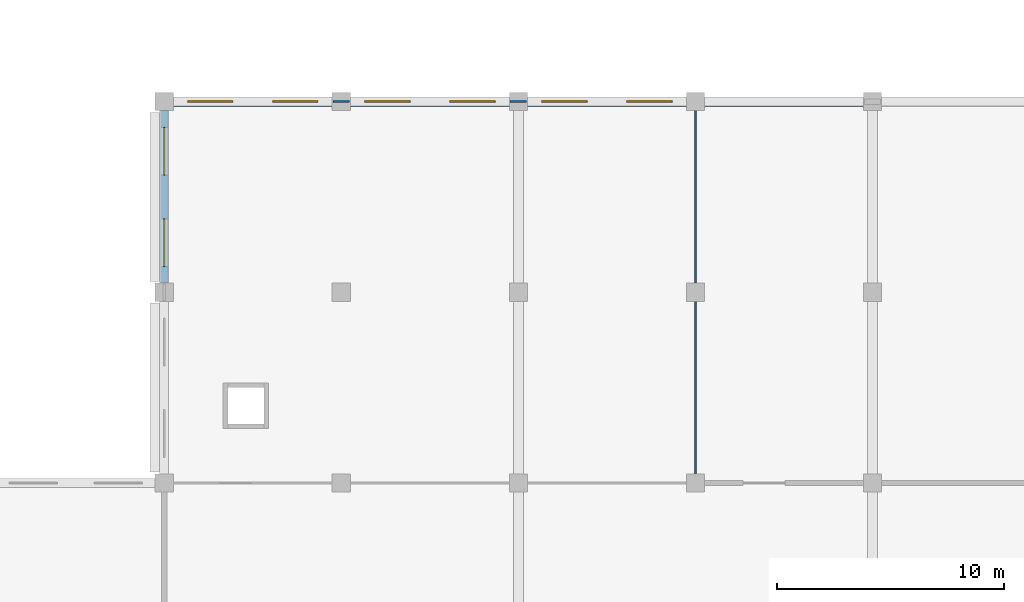
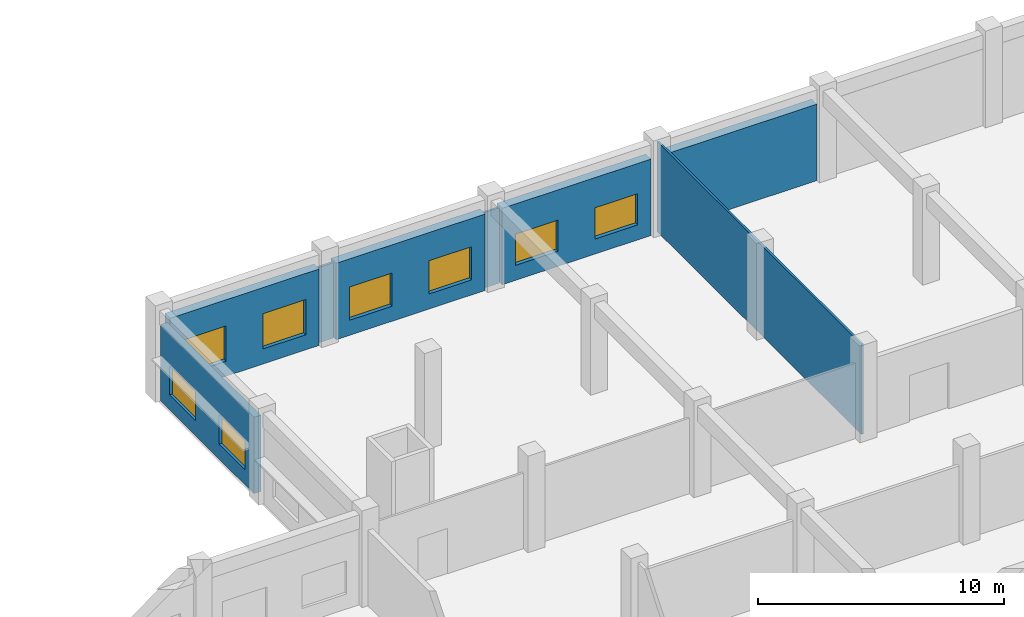
# One storey, part 48 of 62: 8 walls, 8 windows, 8 openings.
"""IFC4 building model written with IfcOpenShell, lengths in metres."""

from ifc_helpers import new_model, si_unit, direction, frame, frame_2d, origin, place, context, subcontext, project, spatial, rectangle, extrude, material, layer, layer_set, type_object, element, fill, save


model = new_model("IFC4")

# Units and contexts
model_context = context("Model", 3, precision=1e-05, world=origin(), true_north=direction((0.0, 1.0)))
body_context = subcontext(model_context, "Body", "Model", "MODEL_VIEW")
ifc_project = project(units=[si_unit("LENGTHUNIT", "METRE"), si_unit("AREAUNIT", "SQUARE_METRE"), si_unit("VOLUMEUNIT", "CUBIC_METRE"), si_unit("PLANEANGLEUNIT", "RADIAN"), si_unit("MASSUNIT", "GRAM", prefix="KILO"), si_unit("THERMODYNAMICTEMPERATUREUNIT", "KELVIN"), si_unit("POWERUNIT", "WATT")], contexts=[model_context])

# Site, building, storey
site_placement = place(None, origin())
site = spatial("IfcSite", under=ifc_project, at=site_placement, CompositionType="ELEMENT")
building_placement = place(site_placement, origin())
building = spatial("IfcBuilding", under=site, at=building_placement, Name="Srebrne Nadtorze General Hospital", CompositionType="ELEMENT")
storey_placement = place(building_placement, frame((0.0, 0.0, 9.60009765625)))
storey = spatial("IfcBuildingStorey", under=building, at=storey_placement, Name="L02", CompositionType="ELEMENT", Elevation=9.60009765625)

# Wall, openings, windows
ifc_material_1 = material(Name="Concrete C40/50", Category="concrete")
ifc_layer_1 = layer(ifc_material_1, 0.419921875)
ifc_layer_set_1 = layer_set([ifc_layer_1], Name="Concrete C40/50")
wall_type_1 = type_object("IfcWallType", Name="Acoustic buffer wall 420", PredefinedType="SOLIDWALL", material=ifc_layer_set_1)
wall_1_placement = place(storey_placement, frame((101.800048828125, 109.199951171875, 0.0), z_axis=(0.0, 0.0, 1.0), x_axis=(1.0, 0.0, 0.0)))
wall_1 = element("IfcWall", 1, at=wall_1_placement, inside=storey, type_object=wall_type_1, Name="Exterior wall WL-ENV-L02-0230", PredefinedType="SOLIDWALL", context=body_context, shape_type="SweptSolid", body=[
    extrude(rectangle(XDim=7.0, YDim=0.419921875, at=frame_2d((3.5, 0.0))), origin(), (0.0, 0.0, 1.0), 3.7998046875),
])
opening_1_placement = place(wall_1_placement, frame((0.6279296875, 0.0, 0.75)))
opening_1 = element("IfcOpeningElement", 2, at=opening_1_placement, cuts=wall_1, Name="Opening WN-L02-0284", PredefinedType="OPENING", context=body_context, shape_type="SweptSolid", body=[
    extrude(rectangle(XDim=2.0, YDim=1.75, at=frame_2d((1.0, 0.875))), frame((0.0, 0.221923828125, 0.0), z_axis=(0.0, -1.0, 0.0), x_axis=(1.0, 0.0, 0.0)), (0.0, 0.0, 1.0), 0.44384765625),
])
opening_2_placement = place(wall_1_placement, frame((4.3720703125, 0.0, 0.75)))
opening_2 = element("IfcOpeningElement", 3, at=opening_2_placement, cuts=wall_1, Name="Opening WN-L02-0285", PredefinedType="OPENING", context=body_context, shape_type="SweptSolid", body=[
    extrude(rectangle(XDim=2.0, YDim=1.75, at=frame_2d((1.0, 0.875))), frame((0.0, 0.221923828125, 0.0), z_axis=(0.0, -1.0, 0.0), x_axis=(1.0, 0.0, 0.0)), (0.0, 0.0, 1.0), 0.44384765625),
])
ifc_material_2 = material(Name="Triple Low-E Glazing", Category="glass")
window_type_1 = type_object("IfcWindowType", Name="Punched clinical window 2000x1750", PartitioningType="DOUBLE_PANEL_VERTICAL", PredefinedType="WINDOW", material=ifc_material_2)
window_1_placement = place(opening_1_placement, origin())
window_1 = element("IfcWindow", 4, at=window_1_placement, inside=storey, type_object=window_type_1, Name="Clinical window WN-L02-0284", OverallHeight=1.75, OverallWidth=2.0, PartitioningType="DOUBLE_PANEL_VERTICAL", PredefinedType="WINDOW", context=body_context, shape_type="SweptSolid", body=[
    extrude(rectangle(XDim=2.0, YDim=1.75, at=frame_2d((1.0, 0.875))), frame((0.0, 0.030029296875, 0.0), z_axis=(0.0, -1.0, 0.0), x_axis=(1.0, 0.0, 0.0)), (0.0, 0.0, 1.0), 0.06005859375),
])
fill(opening_1, window_1)
window_2_placement = place(opening_2_placement, origin())
window_2 = element("IfcWindow", 5, at=window_2_placement, inside=storey, type_object=window_type_1, Name="Clinical window WN-L02-0285", OverallHeight=1.75, OverallWidth=2.0, PartitioningType="DOUBLE_PANEL_VERTICAL", PredefinedType="WINDOW", context=body_context, shape_type="SweptSolid", body=[
    extrude(rectangle(XDim=2.0, YDim=1.75, at=frame_2d((1.0, 0.875))), frame((0.0, 0.030029296875, 0.0), z_axis=(0.0, -1.0, 0.0), x_axis=(1.0, 0.0, 0.0)), (0.0, 0.0, 1.0), 0.06005859375),
])
fill(opening_2, window_2)

wall_2_placement = place(storey_placement, frame((109.60009765625, 109.199951171875, 0.0), z_axis=(0.0, 0.0, 1.0), x_axis=(1.0, 0.0, 0.0)))
wall_2 = element("IfcWall", 6, at=wall_2_placement, inside=storey, type_object=wall_type_1, Name="Exterior wall WL-ENV-L02-0231", PredefinedType="SOLIDWALL", context=body_context, shape_type="SweptSolid", body=[
    extrude(rectangle(XDim=7.0, YDim=0.419921875, at=frame_2d((3.5, 0.0))), origin(), (0.0, 0.0, 1.0), 3.7998046875),
])
opening_3_placement = place(wall_2_placement, frame((0.6279296875, 0.0, 0.75)))
opening_3 = element("IfcOpeningElement", 7, at=opening_3_placement, cuts=wall_2, Name="Opening WN-L02-0286", PredefinedType="OPENING", context=body_context, shape_type="SweptSolid", body=[
    extrude(rectangle(XDim=2.0, YDim=1.64990234375, at=frame_2d((1.0, 0.824951171875))), frame((0.0, 0.221923828125, 0.0), z_axis=(0.0, -1.0, 0.0), x_axis=(1.0, 0.0, 0.0)), (0.0, 0.0, 1.0), 0.44384765625),
])
opening_4_placement = place(wall_2_placement, frame((4.3720703125, 0.0, 0.75)))
opening_4 = element("IfcOpeningElement", 8, at=opening_4_placement, cuts=wall_2, Name="Opening WN-L02-0287", PredefinedType="OPENING", context=body_context, shape_type="SweptSolid", body=[
    extrude(rectangle(XDim=2.0, YDim=1.64990234375, at=frame_2d((1.0, 0.824951171875))), frame((0.0, 0.221923828125, 0.0), z_axis=(0.0, -1.0, 0.0), x_axis=(1.0, 0.0, 0.0)), (0.0, 0.0, 1.0), 0.44384765625),
])
ifc_material_3 = material(Name="Triple Low-E Glazing", Category="glass")
window_type_2 = type_object("IfcWindowType", Name="Punched clinical window 2000x1650", PartitioningType="DOUBLE_PANEL_VERTICAL", PredefinedType="WINDOW", material=ifc_material_3)
window_3_placement = place(opening_3_placement, origin())
window_3 = element("IfcWindow", 9, at=window_3_placement, inside=storey, type_object=window_type_2, Name="Clinical window WN-L02-0286", OverallHeight=1.64990234375, OverallWidth=2.0, PartitioningType="DOUBLE_PANEL_VERTICAL", PredefinedType="WINDOW", context=body_context, shape_type="SweptSolid", body=[
    extrude(rectangle(XDim=2.0, YDim=1.64990234375, at=frame_2d((1.0, 0.824951171875))), frame((0.0, 0.030029296875, 0.0), z_axis=(0.0, -1.0, 0.0), x_axis=(1.0, 0.0, 0.0)), (0.0, 0.0, 1.0), 0.06005859375),
])
fill(opening_3, window_3)
window_4_placement = place(opening_4_placement, origin())
window_4 = element("IfcWindow", 10, at=window_4_placement, inside=storey, type_object=window_type_2, Name="Clinical window WN-L02-0287", OverallHeight=1.64990234375, OverallWidth=2.0, PartitioningType="DOUBLE_PANEL_VERTICAL", PredefinedType="WINDOW", context=body_context, shape_type="SweptSolid", body=[
    extrude(rectangle(XDim=2.0, YDim=1.64990234375, at=frame_2d((1.0, 0.824951171875))), frame((0.0, 0.030029296875, 0.0), z_axis=(0.0, -1.0, 0.0), x_axis=(1.0, 0.0, 0.0)), (0.0, 0.0, 1.0), 0.06005859375),
])
fill(opening_4, window_4)

wall_3_placement = place(storey_placement, frame((117.39990234375, 109.199951171875, 0.0), z_axis=(0.0, 0.0, 1.0), x_axis=(1.0, 0.0, 0.0)))
wall_3 = element("IfcWall", 11, at=wall_3_placement, inside=storey, type_object=wall_type_1, Name="Exterior wall WL-ENV-L02-0232", PredefinedType="SOLIDWALL", context=body_context, shape_type="SweptSolid", body=[
    extrude(rectangle(XDim=7.0, YDim=0.419921875, at=frame_2d((3.5, 0.0))), origin(), (0.0, 0.0, 1.0), 3.7998046875),
])
opening_5_placement = place(wall_3_placement, frame((0.6279296875, 0.0, 0.75)))
opening_5 = element("IfcOpeningElement", 12, at=opening_5_placement, cuts=wall_3, Name="Opening WN-L02-0288", PredefinedType="OPENING", context=body_context, shape_type="SweptSolid", body=[
    extrude(rectangle(XDim=2.0, YDim=1.550048828125, at=frame_2d((1.0, 0.77490234375))), frame((0.0, 0.221923828125, 0.0), z_axis=(0.0, -1.0, 0.0), x_axis=(1.0, 0.0, 0.0)), (0.0, 0.0, 1.0), 0.44384765625),
])
opening_6_placement = place(wall_3_placement, frame((4.3720703125, 0.0, 0.75)))
opening_6 = element("IfcOpeningElement", 13, at=opening_6_placement, cuts=wall_3, Name="Opening WN-L02-0289", PredefinedType="OPENING", context=body_context, shape_type="SweptSolid", body=[
    extrude(rectangle(XDim=2.0, YDim=1.550048828125, at=frame_2d((1.0, 0.77490234375))), frame((0.0, 0.221923828125, 0.0), z_axis=(0.0, -1.0, 0.0), x_axis=(1.0, 0.0, 0.0)), (0.0, 0.0, 1.0), 0.44384765625),
])
ifc_material_4 = material(Name="Triple Low-E Glazing", Category="glass")
window_type_3 = type_object("IfcWindowType", Name="Punched clinical window 2000x1550", PartitioningType="DOUBLE_PANEL_VERTICAL", PredefinedType="WINDOW", material=ifc_material_4)
window_5_placement = place(opening_5_placement, origin())
window_5 = element("IfcWindow", 14, at=window_5_placement, inside=storey, type_object=window_type_3, Name="Clinical window WN-L02-0288", OverallHeight=1.550048828125, OverallWidth=2.0, PartitioningType="DOUBLE_PANEL_VERTICAL", PredefinedType="WINDOW", context=body_context, shape_type="SweptSolid", body=[
    extrude(rectangle(XDim=2.0, YDim=1.550048828125, at=frame_2d((1.0, 0.77490234375))), frame((0.0, 0.030029296875, 0.0), z_axis=(0.0, -1.0, 0.0), x_axis=(1.0, 0.0, 0.0)), (0.0, 0.0, 1.0), 0.06005859375),
])
fill(opening_5, window_5)
window_6_placement = place(opening_6_placement, origin())
window_6 = element("IfcWindow", 15, at=window_6_placement, inside=storey, type_object=window_type_3, Name="Clinical window WN-L02-0289", OverallHeight=1.550048828125, OverallWidth=2.0, PartitioningType="DOUBLE_PANEL_VERTICAL", PredefinedType="WINDOW", context=body_context, shape_type="SweptSolid", body=[
    extrude(rectangle(XDim=2.0, YDim=1.550048828125, at=frame_2d((1.0, 0.77490234375))), frame((0.0, 0.030029296875, 0.0), z_axis=(0.0, -1.0, 0.0), x_axis=(1.0, 0.0, 0.0)), (0.0, 0.0, 1.0), 0.06005859375),
])
fill(opening_6, window_6)

# Walls
wall_4_placement = place(storey_placement, frame((125.199951171875, 109.199951171875, 0.0), z_axis=(0.0, 0.0, 1.0), x_axis=(1.0, 0.0, 0.0)))
element("IfcWall", 16, at=wall_4_placement, inside=storey, type_object=wall_type_1, Name="Exterior wall WL-ENV-L02-0233", PredefinedType="SOLIDWALL", context=body_context, shape_type="SweptSolid", body=[
    extrude(rectangle(XDim=7.0, YDim=0.419921875, at=frame_2d((3.5, 0.0))), origin(), (0.0, 0.0, 1.0), 3.7998046875),
])
ifc_material_5 = material(Name="Gypsum Healthcare Partition")
ifc_layer_2 = layer(ifc_material_5, 0.10009765625)
ifc_layer_set_2 = layer_set([ifc_layer_2], Name="Gypsum Healthcare Partition")
wall_type_2 = type_object("IfcWallType", Name="Shaft lining wall 100", PredefinedType="PARTITIONING", material=ifc_layer_set_2)
wall_5_placement = place(storey_placement, frame((108.840087890625, 109.199951171875, 0.0), z_axis=(0.0, 0.0, 1.0), x_axis=(1.0, 0.0, 0.0)))
element("IfcWall", 17, at=wall_5_placement, inside=storey, type_object=wall_type_2, Name="Critical Care Pharmacy and Blood Gas Lab wall WL-INT-L02-1542", PredefinedType="PARTITIONING", context=body_context, shape_type="SweptSolid", body=[
    extrude(rectangle(XDim=0.719970703125, YDim=0.10009765625, at=frame_2d((0.35986328125, 0.0))), origin(), (0.0, 0.0, 1.0), 3.75),
])
wall_6_placement = place(storey_placement, frame((116.639892578125, 109.199951171875, 0.0), z_axis=(0.0, 0.0, 1.0), x_axis=(1.0, 0.0, 0.0)))
element("IfcWall", 18, at=wall_6_placement, inside=storey, type_object=wall_type_2, Name="Critical Care Pharmacy and Blood Gas Lab wall WL-INT-L02-1543", PredefinedType="PARTITIONING", context=body_context, shape_type="SweptSolid", body=[
    extrude(rectangle(XDim=0.72021484375, YDim=0.10009765625, at=frame_2d((0.360107421875, 0.0))), origin(), (0.0, 0.0, 1.0), 3.75),
])
wall_7_placement = place(storey_placement, frame((124.800048828125, 92.485107421875, 0.0), z_axis=(0.0, 0.0, 1.0), x_axis=(0.0, 1.0, 0.0)))
element("IfcWall", 19, at=wall_7_placement, inside=storey, type_object=wall_type_2, Name="Critical Care Pharmacy and Blood Gas Lab wall WL-INT-L02-1545", PredefinedType="PARTITIONING", context=body_context, shape_type="SweptSolid", body=[
    extrude(rectangle(XDim=16.6298828125, YDim=0.10009765625, at=frame_2d((8.31494140625, 0.0))), origin(), (0.0, 0.0, 1.0), 4.47998046875),
])

# Wall, openings, windows
ifc_material_6 = material(Name="Concrete C35/45", Category="concrete")
ifc_layer_3 = layer(ifc_material_6, 0.320068359375)
ifc_layer_set_3 = layer_set([ifc_layer_3], Name="Concrete C35/45")
wall_type_3 = type_object("IfcWallType", Name="Spandrel wall 320", PredefinedType="STANDARD", material=ifc_layer_set_3)
wall_8_placement = place(storey_placement, frame((101.39990234375, 101.199951171875, 0.0), z_axis=(0.0, 0.0, 1.0), x_axis=(0.0, 1.0, 0.0)))
wall_8 = element("IfcWall", 20, at=wall_8_placement, inside=storey, type_object=wall_type_3, Name="Exterior wall WL-ENV-L02-0268", PredefinedType="STANDARD", context=body_context, shape_type="SweptSolid", body=[
    extrude(rectangle(XDim=7.60009765625, YDim=0.320068359375, at=frame_2d((3.800048828125, 0.0))), origin(), (0.0, 0.0, 1.0), 3.7998046875),
])
opening_7_placement = place(wall_8_placement, frame((0.73388671875, 0.0, 0.75)))
opening_7 = element("IfcOpeningElement", 21, at=opening_7_placement, cuts=wall_8, Name="Opening WN-L02-0354", PredefinedType="OPENING", context=body_context, shape_type="SweptSolid", body=[
    extrude(rectangle(XDim=2.10009765625, YDim=1.449951171875, at=frame_2d((1.050048828125, 0.72509765625))), frame((0.0, 0.171875, 0.0), z_axis=(0.0, -1.0, 0.0), x_axis=(1.0, 0.0, 0.0)), (0.0, 0.0, 1.0), 0.343994140625),
])
opening_8_placement = place(wall_8_placement, frame((4.76611328125, 0.0, 0.75)))
opening_8 = element("IfcOpeningElement", 22, at=opening_8_placement, cuts=wall_8, Name="Opening WN-L02-0355", PredefinedType="OPENING", context=body_context, shape_type="SweptSolid", body=[
    extrude(rectangle(XDim=2.10009765625, YDim=1.449951171875, at=frame_2d((1.050048828125, 0.72509765625))), frame((0.0, 0.171875, 0.0), z_axis=(0.0, -1.0, 0.0), x_axis=(1.0, 0.0, 0.0)), (0.0, 0.0, 1.0), 0.343994140625),
])
ifc_material_7 = material(Name="Triple Low-E Glazing", Category="glass")
window_type_4 = type_object("IfcWindowType", Name="Punched clinical window 2100x1450", PartitioningType="DOUBLE_PANEL_VERTICAL", PredefinedType="WINDOW", material=ifc_material_7)
window_7_placement = place(opening_7_placement, origin())
window_7 = element("IfcWindow", 23, at=window_7_placement, inside=storey, type_object=window_type_4, Name="Clinical window WN-L02-0354", OverallHeight=1.449951171875, OverallWidth=2.10009765625, PartitioningType="DOUBLE_PANEL_VERTICAL", PredefinedType="WINDOW", context=body_context, shape_type="SweptSolid", body=[
    extrude(rectangle(XDim=2.10009765625, YDim=1.449951171875, at=frame_2d((1.050048828125, 0.72509765625))), frame((0.0, 0.030029296875, 0.0), z_axis=(0.0, -1.0, 0.0), x_axis=(1.0, 0.0, 0.0)), (0.0, 0.0, 1.0), 0.06005859375),
])
fill(opening_7, window_7)
window_8_placement = place(opening_8_placement, origin())
window_8 = element("IfcWindow", 24, at=window_8_placement, inside=storey, type_object=window_type_4, Name="Clinical window WN-L02-0355", OverallHeight=1.449951171875, OverallWidth=2.10009765625, PartitioningType="DOUBLE_PANEL_VERTICAL", PredefinedType="WINDOW", context=body_context, shape_type="SweptSolid", body=[
    extrude(rectangle(XDim=2.10009765625, YDim=1.449951171875, at=frame_2d((1.050048828125, 0.72509765625))), frame((0.0, 0.030029296875, 0.0), z_axis=(0.0, -1.0, 0.0), x_axis=(1.0, 0.0, 0.0)), (0.0, 0.0, 1.0), 0.06005859375),
])
fill(opening_8, window_8)

save(model, "model.ifc")
